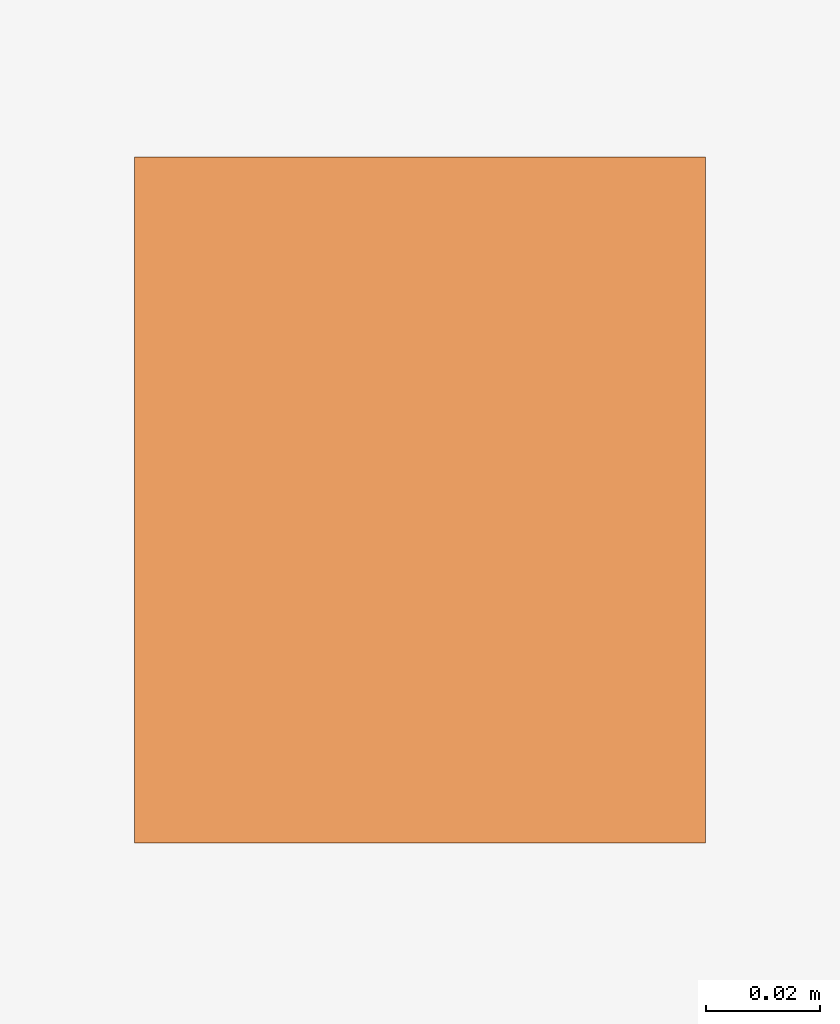
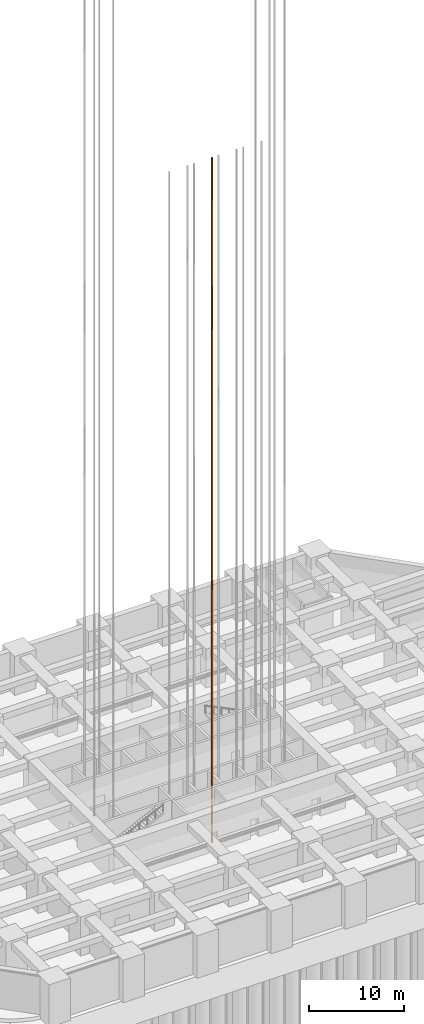
# One storey, part 15 of 24: 1 proxy.
"""IFC4 building model written with IfcOpenShell, lengths in metres."""

from ifc_helpers import new_model, si_unit, direction, frame, origin, origin_2d, place, context, subcontext, project, spatial, rectangle, extrude, element, save


model = new_model("IFC4")

# Units and contexts
model_context = context("Model", 3, precision=1e-05, world=origin(), true_north=direction((0.0, 1.0)))
body_context = subcontext(model_context, "Body", "Model", "MODEL_VIEW")
ifc_project = project(units=[si_unit("LENGTHUNIT", "METRE"), si_unit("AREAUNIT", "SQUARE_METRE"), si_unit("VOLUMEUNIT", "CUBIC_METRE"), si_unit("PLANEANGLEUNIT", "RADIAN"), si_unit("MASSUNIT", "GRAM", prefix="KILO")], contexts=[model_context])

# Site, building, storey
site_placement = place(None, origin())
site = spatial("IfcSite", under=ifc_project, at=site_placement, CompositionType="ELEMENT")
building_placement = place(site_placement, origin())
building = spatial("IfcBuilding", under=site, at=building_placement, Name="Zorevar Civic Tower", CompositionType="ELEMENT")
storey_placement = place(building_placement, frame((0.0, 0.0, -5.0)))
storey = spatial("IfcBuildingStorey", under=building, at=storey_placement, Name="B1", CompositionType="ELEMENT", Elevation=-5.0)

# Proxy
proxy_placement = place(storey_placement, frame((32.60009765625, 23.10009765625, -3.35009765625), z_axis=(0.0, 0.0, 1.0), x_axis=(1.0, 0.0, 0.0)))
element("IfcBuildingElementProxy", 1, at=proxy_placement, inside=storey, Name="Passenger lift LP2 guide rail 2", PredefinedType="NOTDEFINED", context=body_context, shape_type="SweptSolid", body=[
    extrude(rectangle(XDim=0.10009765625, YDim=0.1201171875, at=origin_2d()), origin(), (0.0, 0.0, 1.0), 88.0),
])

save(model, "model.ifc")
